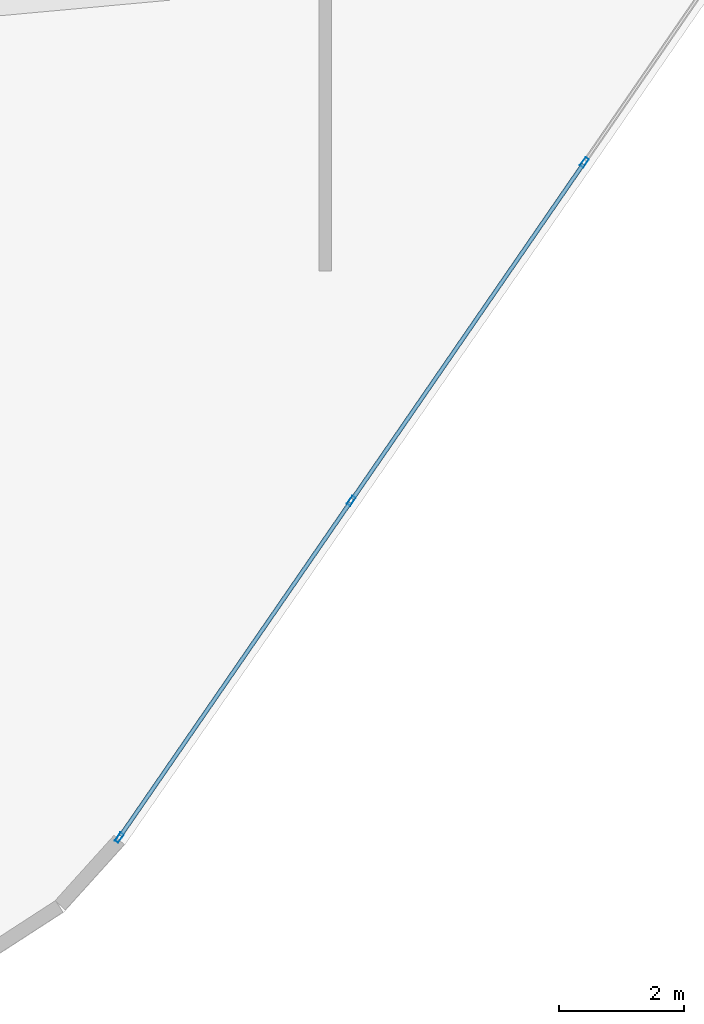
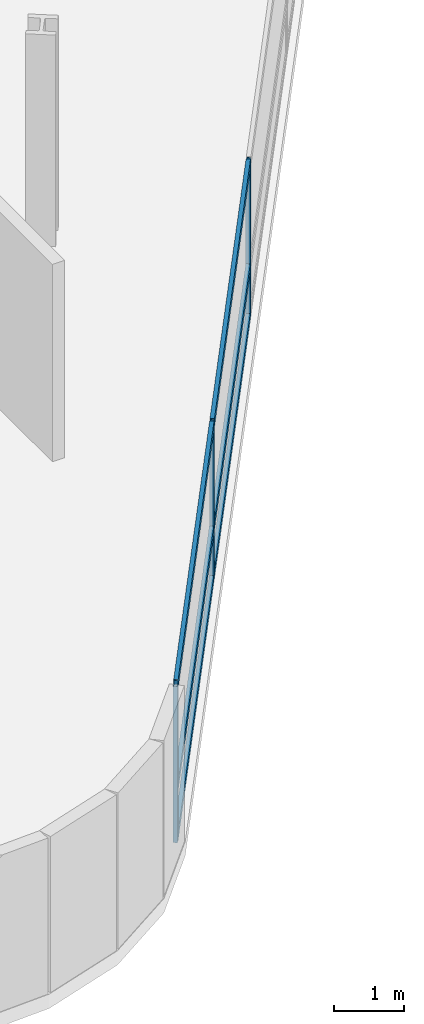
# One storey, part 6 of 25: 9 members, 1 element without a shape of its own.
"""IFC4 building model written with IfcOpenShell, lengths in metres."""

from ifc_helpers import new_model, si_unit, direction, frame, origin, origin_2d, place, context, subcontext, project, spatial, hollow_rectangle, extrude, material, layer, layer_set, material_profile, profile_set, type_object, element, aggregate, save


model = new_model("IFC4")

# Units and contexts
model_context = context("Model", 3, precision=1e-05, world=origin(), true_north=direction((0.0, 1.0)))
body_context = subcontext(model_context, "Body", "Model", "MODEL_VIEW")
ifc_project = project(units=[si_unit("LENGTHUNIT", "METRE"), si_unit("AREAUNIT", "SQUARE_METRE"), si_unit("VOLUMEUNIT", "CUBIC_METRE"), si_unit("PLANEANGLEUNIT", "RADIAN"), si_unit("MASSUNIT", "GRAM", prefix="KILO")], contexts=[model_context])

# Site, building, storey
site_placement = place(None, origin())
site = spatial("IfcSite", under=ifc_project, at=site_placement, CompositionType="ELEMENT")
building_placement = place(site_placement, origin())
building = spatial("IfcBuilding", under=site, at=building_placement, Name="Varnelok Gate Tower", CompositionType="ELEMENT")
storey_placement = place(building_placement, frame((0.0, 0.0, 56.60009765625)))
storey = spatial("IfcBuildingStorey", under=building, at=storey_placement, Name="L13", CompositionType="ELEMENT", Elevation=56.60009765625)

# Curtain wall, members
ifc_material = material(Name="Anodized Aluminum Alloy 6063-T6", Category="aluminium")
ifc_layer = layer(ifc_material, 0.179931640625)
ifc_layer_set = layer_set([ifc_layer], Name="Anodized Aluminum Alloy 6063-T6")
curtain_wall_type = type_object("IfcCurtainWallType", Name="CW3-HOTEL-VISION", PredefinedType="USERDEFINED", material=ifc_layer_set)
curtain_wall_placement = place(storey_placement, origin())
curtain_wall = element("IfcCurtainWall", 1, at=curtain_wall_placement, inside=storey, type_object=curtain_wall_type, Name="L13 East End Vision Curtain Wall", ObjectType="UNITISED CURTAIN WALL", PredefinedType="USERDEFINED")
ifc_material_profile_1 = material_profile(ifc_material, hollow_rectangle(XDim=0.06494140625, YDim=0.159912109375, WallThickness=0.00390625, at=origin_2d()), Name="ALU160X65X4")
ifc_profile_set_1 = profile_set([ifc_material_profile_1], Name="Anodized Aluminum Alloy 6063-T6")
member_type_1 = type_object("IfcMemberType", Name="CW-MULL-160", PredefinedType="MULLION", material=ifc_profile_set_1)
member_1_placement = place(storey_placement, frame((67.64208984375, -2.265380859375, 0.0), z_axis=(0.0, 0.0, 1.0), x_axis=(0.823532685111, -0.567268822124, 0.0)))
member_1 = element("IfcMember", 2, at=member_1_placement, type_object=member_type_1, Name="CW3 mullion 5", PredefinedType="MULLION", context=body_context, shape_type="SweptSolid", body=[
    extrude(hollow_rectangle(XDim=0.06494140625, YDim=0.159912109375, WallThickness=0.00390625, at=origin_2d()), origin(), (0.0, 0.0, 1.0), 2.72998046875),
])
member_2_placement = place(storey_placement, frame((63.9169921875, -7.67333984375, 0.0), z_axis=(0.0, 0.0, 1.0), x_axis=(0.823532685111, -0.567268822124, 0.0)))
member_2 = element("IfcMember", 3, at=member_2_placement, type_object=member_type_1, Name="CW3 mullion 6", PredefinedType="MULLION", context=body_context, shape_type="SweptSolid", body=[
    extrude(hollow_rectangle(XDim=0.06494140625, YDim=0.159912109375, WallThickness=0.00390625, at=origin_2d()), origin(), (0.0, 0.0, 1.0), 2.72998046875),
])
member_3_placement = place(storey_placement, frame((60.21044921875, -13.054443359375, 0.0), z_axis=(0.0, 0.0, 1.0), x_axis=(0.823532685111, -0.567268822124, 0.0)))
member_3 = element("IfcMember", 4, at=member_3_placement, type_object=member_type_1, Name="CW3 mullion 7", PredefinedType="MULLION", context=body_context, shape_type="SweptSolid", body=[
    extrude(hollow_rectangle(XDim=0.06494140625, YDim=0.159912109375, WallThickness=0.00390625, at=origin_2d()), origin(), (0.0, 0.0, 1.0), 2.72998046875),
])
ifc_material_profile_2 = material_profile(ifc_material, hollow_rectangle(XDim=0.06494140625, YDim=0.159912109375, WallThickness=0.00390625, at=origin_2d()), Name="ALU160X65X4")
ifc_profile_set_2 = profile_set([ifc_material_profile_2], Name="Anodized Aluminum Alloy 6063-T6")
member_type_2 = type_object("IfcMemberType", Name="CW-TRAN-160", PredefinedType="USERDEFINED", material=ifc_profile_set_2)
member_4_placement = place(storey_placement, frame((67.623779296875, -2.292236328125, 0.032470703125), z_axis=(-0.567279204469, -0.823525533409, 0.0), x_axis=(0.823525533409, -0.567279204469, 0.0)))
member_4 = element("IfcMember", 5, at=member_4_placement, type_object=member_type_2, Name="CW3 transom 5.1", ObjectType="TRANSOM", PredefinedType="USERDEFINED", context=body_context, shape_type="SweptSolid", body=[
    extrude(hollow_rectangle(XDim=0.06494140625, YDim=0.159912109375, WallThickness=0.00390625, at=origin_2d()), origin(), (0.0, 0.0, 1.0), 6.501708984375),
])
member_5_placement = place(storey_placement, frame((67.623779296875, -2.292236328125, 0.89990234375), z_axis=(-0.567279204469, -0.823525533409, 0.0), x_axis=(0.823525533409, -0.567279204469, 0.0)))
member_5 = element("IfcMember", 6, at=member_5_placement, type_object=member_type_2, Name="CW3 transom 5.2", ObjectType="TRANSOM", PredefinedType="USERDEFINED", context=body_context, shape_type="SweptSolid", body=[
    extrude(hollow_rectangle(XDim=0.06494140625, YDim=0.159912109375, WallThickness=0.00390625, at=origin_2d()), origin(), (0.0, 0.0, 1.0), 6.501708984375),
])
member_6_placement = place(storey_placement, frame((67.623779296875, -2.292236328125, 2.697509765625), z_axis=(-0.567279204469, -0.823525533409, 0.0), x_axis=(0.823525533409, -0.567279204469, 0.0)))
member_6 = element("IfcMember", 7, at=member_6_placement, type_object=member_type_2, Name="CW3 transom 5.3", ObjectType="TRANSOM", PredefinedType="USERDEFINED", context=body_context, shape_type="SweptSolid", body=[
    extrude(hollow_rectangle(XDim=0.06494140625, YDim=0.159912109375, WallThickness=0.00390625, at=origin_2d()), origin(), (0.0, 0.0, 1.0), 6.501708984375),
])
member_7_placement = place(storey_placement, frame((63.898681640625, -7.699951171875, 0.032470703125), z_axis=(-0.567281349446, -0.823524055854, 0.0), x_axis=(0.823524055854, -0.567281349446, 0.0)))
member_7 = element("IfcMember", 8, at=member_7_placement, type_object=member_type_2, Name="CW3 transom 6.1", ObjectType="TRANSOM", PredefinedType="USERDEFINED", context=body_context, shape_type="SweptSolid", body=[
    extrude(hollow_rectangle(XDim=0.06494140625, YDim=0.159912109375, WallThickness=0.00390625, at=origin_2d()), origin(), (0.0, 0.0, 1.0), 6.46923828125),
])
member_8_placement = place(storey_placement, frame((63.898681640625, -7.699951171875, 0.89990234375), z_axis=(-0.567281349446, -0.823524055854, 0.0), x_axis=(0.823524055854, -0.567281349446, 0.0)))
member_8 = element("IfcMember", 9, at=member_8_placement, type_object=member_type_2, Name="CW3 transom 6.2", ObjectType="TRANSOM", PredefinedType="USERDEFINED", context=body_context, shape_type="SweptSolid", body=[
    extrude(hollow_rectangle(XDim=0.06494140625, YDim=0.159912109375, WallThickness=0.00390625, at=origin_2d()), origin(), (0.0, 0.0, 1.0), 6.46923828125),
])
member_9_placement = place(storey_placement, frame((63.898681640625, -7.699951171875, 2.697509765625), z_axis=(-0.567281349446, -0.823524055854, 0.0), x_axis=(0.823524055854, -0.567281349446, 0.0)))
member_9 = element("IfcMember", 10, at=member_9_placement, type_object=member_type_2, Name="CW3 transom 6.3", ObjectType="TRANSOM", PredefinedType="USERDEFINED", context=body_context, shape_type="SweptSolid", body=[
    extrude(hollow_rectangle(XDim=0.06494140625, YDim=0.159912109375, WallThickness=0.00390625, at=origin_2d()), origin(), (0.0, 0.0, 1.0), 6.46923828125),
])
aggregate(curtain_wall, [member_1, member_2, member_3, member_4, member_5, member_6, member_7, member_8, member_9])

save(model, "model.ifc")
